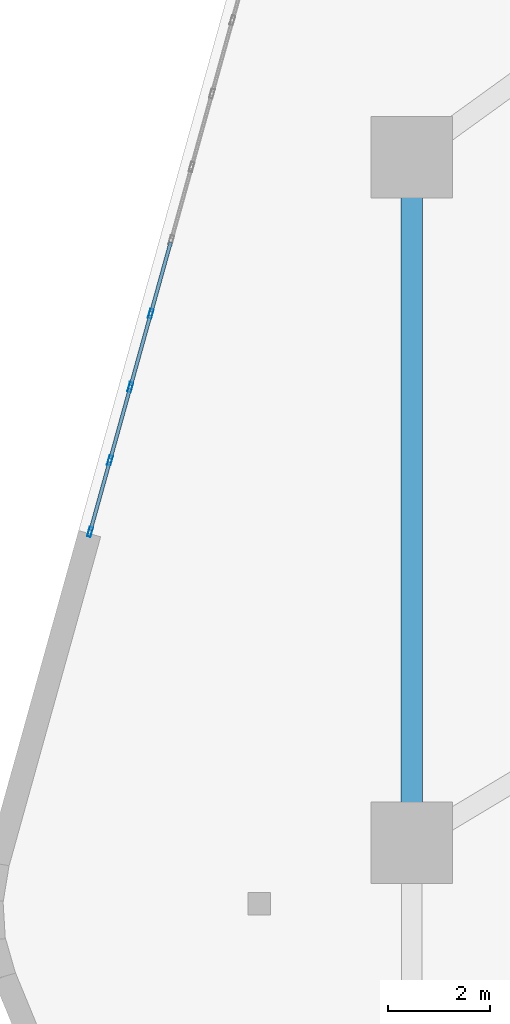
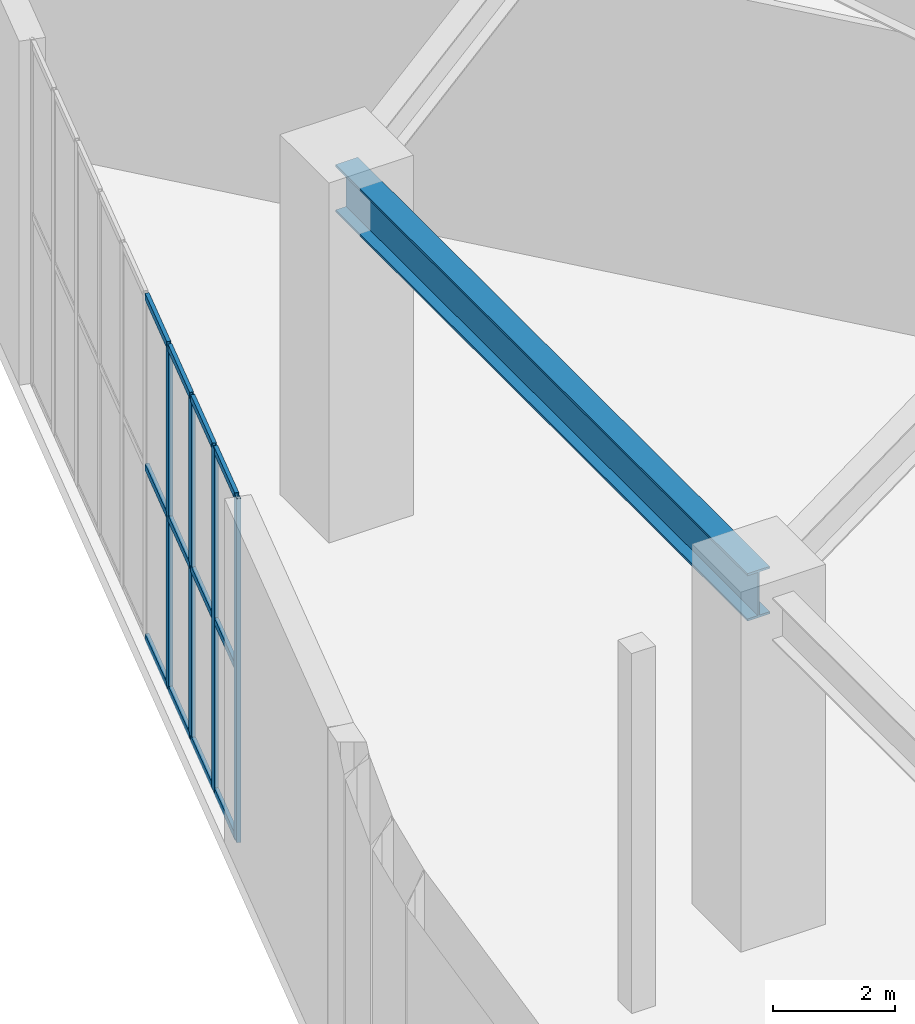
# One storey, part 6 of 17: 16 members, 1 beam, 1 element without a shape of its own.
"""IFC4 building model written with IfcOpenShell, lengths in metres."""

from ifc_helpers import new_model, si_unit, direction, frame, origin, origin_2d, place, context, subcontext, project, spatial, hollow_rectangle, i_section, extrude, material, layer, layer_set, material_profile, profile_set, type_object, element, aggregate, save


model = new_model("IFC4")

# Units and contexts
model_context = context("Model", 3, precision=1e-05, world=origin(), true_north=direction((0.0, 1.0)))
body_context = subcontext(model_context, "Body", "Model", "MODEL_VIEW")
ifc_project = project(units=[si_unit("LENGTHUNIT", "METRE"), si_unit("AREAUNIT", "SQUARE_METRE"), si_unit("VOLUMEUNIT", "CUBIC_METRE"), si_unit("PLANEANGLEUNIT", "RADIAN"), si_unit("MASSUNIT", "GRAM", prefix="KILO")], contexts=[model_context])

# Site, building, storey
site_placement = place(None, origin())
site = spatial("IfcSite", under=ifc_project, at=site_placement, CompositionType="ELEMENT")
building_placement = place(site_placement, origin())
building = spatial("IfcBuilding", under=site, at=building_placement, Name="Kilnhurst Terrace Hotel", CompositionType="ELEMENT")
storey_placement = place(building_placement, frame((0.0, 0.0, 11.39990234375)))
storey = spatial("IfcBuildingStorey", under=building, at=storey_placement, Name="L02", CompositionType="ELEMENT", Elevation=11.39990234375)

# Beam
ifc_material_1 = material(Name="Steel ASTM A992 Grade 50", Category="steel")
ifc_material_profile_1 = material_profile(ifc_material_1, i_section(OverallWidth=0.423095703125, OverallDepth=0.9482421875, WebThickness=0.02392578125, FlangeThickness=0.042724609375, at=origin_2d()), Name="W36X302")
ifc_profile_set_1 = profile_set([ifc_material_profile_1], Name="Steel ASTM A992 Grade 50")
beam_type = type_object("IfcBeamType", Name="BM-STL-W36X302", PredefinedType="BEAM", material=ifc_profile_set_1)
beam_placement = place(storey_placement, frame((-21.5, 0.0, 6.406005859375), z_axis=(0.0, 1.0, 0.0), x_axis=(-1.0, 0.0, 0.0)))
element("IfcBeam", 1, at=beam_placement, inside=storey, type_object=beam_type, Name="L02 Podium Frame Beam 2", PredefinedType="BEAM", context=body_context, shape_type="SweptSolid", body=[
    extrude(i_section(OverallWidth=0.423095703125, OverallDepth=0.9482421875, WebThickness=0.02392578125, FlangeThickness=0.042724609375, at=origin_2d()), origin(), (0.0, 0.0, 1.0), 13.5),
])

# Curtain wall, members
ifc_material_2 = material(Name="Anodized Aluminium Alloy 6063-T6 and Low-E Glass", Category="aluminium")
ifc_layer = layer(ifc_material_2, 0.219970703125, Name="Anodized Aluminium Alloy 6063-T6 and Low-E Glass")
ifc_layer_set = layer_set([ifc_layer], Name="Anodized Aluminium Alloy 6063-T6 and Low-E Glass")
curtain_wall_type = type_object("IfcCurtainWallType", Name="CW-POD-TERR", PredefinedType="NOTDEFINED", material=ifc_layer_set)
curtain_wall_placement = place(storey_placement, origin())
curtain_wall = element("IfcCurtainWall", 2, at=curtain_wall_placement, inside=storey, type_object=curtain_wall_type, Name="L02 Curtain Wall CW-L02-F5-1", PredefinedType="NOTDEFINED")
ifc_material_3 = material(Name="Extruded Aluminium Alloy 6063-T6", Category="aluminium")
ifc_material_profile_2 = material_profile(ifc_material_3, hollow_rectangle(XDim=0.070068359375, YDim=0.18994140625, WallThickness=0.00390625, at=origin_2d()), Name="CWM70X190")
ifc_profile_set_2 = profile_set([ifc_material_profile_2], Name="Extruded Aluminium Alloy 6063-T6")
member_type_1 = type_object("IfcMemberType", Name="MEM-CWM70X190", PredefinedType="MULLION", material=ifc_profile_set_2)
member_1_placement = place(storey_placement, frame((-26.635498046875, 10.418212890625, 0.0), z_axis=(0.0, 0.0, 1.0), x_axis=(0.963421096295, -0.267992147673, 0.0)))
member_1 = element("IfcMember", 3, at=member_1_placement, type_object=member_type_1, Name="CWT-2 mullion 7", PredefinedType="MULLION", context=body_context, shape_type="SweptSolid", body=[
    extrude(hollow_rectangle(XDim=0.070068359375, YDim=0.18994140625, WallThickness=0.00390625, at=origin_2d()), origin(), (0.0, 0.0, 1.0), 6.880126953125),
])
member_2_placement = place(storey_placement, frame((-27.037109375, 8.97412109375, 0.0), z_axis=(0.0, 0.0, 1.0), x_axis=(0.963421096295, -0.267992147673, 0.0)))
member_2 = element("IfcMember", 4, at=member_2_placement, type_object=member_type_1, Name="CWT-2 mullion 8", PredefinedType="MULLION", context=body_context, shape_type="SweptSolid", body=[
    extrude(hollow_rectangle(XDim=0.070068359375, YDim=0.18994140625, WallThickness=0.00390625, at=origin_2d()), origin(), (0.0, 0.0, 1.0), 6.880126953125),
])
member_3_placement = place(storey_placement, frame((-27.43896484375, 7.5302734375, 0.0), z_axis=(0.0, 0.0, 1.0), x_axis=(0.963421096295, -0.267992147673, 0.0)))
member_3 = element("IfcMember", 5, at=member_3_placement, type_object=member_type_1, Name="CWT-2 mullion 9", PredefinedType="MULLION", context=body_context, shape_type="SweptSolid", body=[
    extrude(hollow_rectangle(XDim=0.070068359375, YDim=0.18994140625, WallThickness=0.00390625, at=origin_2d()), origin(), (0.0, 0.0, 1.0), 6.880126953125),
])
member_4_placement = place(storey_placement, frame((-27.831298828125, 6.119873046875, 0.0), z_axis=(0.0, 0.0, 1.0), x_axis=(0.963421096295, -0.267992147673, 0.0)))
member_4 = element("IfcMember", 6, at=member_4_placement, type_object=member_type_1, Name="CWT-2 mullion 10", PredefinedType="MULLION", context=body_context, shape_type="SweptSolid", body=[
    extrude(hollow_rectangle(XDim=0.070068359375, YDim=0.18994140625, WallThickness=0.00390625, at=origin_2d()), origin(), (0.0, 0.0, 1.0), 6.880126953125),
])
ifc_material_profile_3 = material_profile(ifc_material_3, hollow_rectangle(XDim=0.070068359375, YDim=0.135009765625, WallThickness=0.00390625, at=origin_2d()), Name="CWT70X135")
ifc_profile_set_3 = profile_set([ifc_material_profile_3], Name="Extruded Aluminium Alloy 6063-T6")
member_type_2 = type_object("IfcMemberType", Name="MEM-CWT70X135", PredefinedType="USERDEFINED", material=ifc_profile_set_3)
member_5_placement = place(storey_placement, frame((-26.2431640625, 11.82861328125, 0.03515625), z_axis=(-0.268057982455, -0.963402780794, 0.0), x_axis=(0.963402780794, -0.268057982455, 0.0)))
member_5 = element("IfcMember", 7, at=member_5_placement, type_object=member_type_2, Name="CWT-2 transom 6.1", ObjectType="TRANSOM", PredefinedType="USERDEFINED", context=body_context, shape_type="SweptSolid", body=[
    extrude(hollow_rectangle(XDim=0.070068359375, YDim=0.135009765625, WallThickness=0.00390625, at=origin_2d()), origin(), (0.0, 0.0, 1.0), 1.428955078125),
])
member_6_placement = place(storey_placement, frame((-26.2431640625, 11.82861328125, 3.440185546875), z_axis=(-0.268057982455, -0.963402780794, 0.0), x_axis=(0.963402780794, -0.268057982455, 0.0)))
member_6 = element("IfcMember", 8, at=member_6_placement, type_object=member_type_2, Name="CWT-2 transom 6.2", ObjectType="TRANSOM", PredefinedType="USERDEFINED", context=body_context, shape_type="SweptSolid", body=[
    extrude(hollow_rectangle(XDim=0.070068359375, YDim=0.135009765625, WallThickness=0.00390625, at=origin_2d()), origin(), (0.0, 0.0, 1.0), 1.428955078125),
])
member_7_placement = place(storey_placement, frame((-26.2431640625, 11.82861328125, 6.84521484375), z_axis=(-0.268057982455, -0.963402780794, 0.0), x_axis=(0.963402780794, -0.268057982455, 0.0)))
member_7 = element("IfcMember", 9, at=member_7_placement, type_object=member_type_2, Name="CWT-2 transom 6.3", ObjectType="TRANSOM", PredefinedType="USERDEFINED", context=body_context, shape_type="SweptSolid", body=[
    extrude(hollow_rectangle(XDim=0.070068359375, YDim=0.135009765625, WallThickness=0.00390625, at=origin_2d()), origin(), (0.0, 0.0, 1.0), 1.428955078125),
])
member_8_placement = place(storey_placement, frame((-26.64501953125, 10.384521484375, 0.03515625), z_axis=(-0.267899401357, -0.963446890468, 0.0), x_axis=(0.963446890468, -0.267899401357, 0.0)))
member_8 = element("IfcMember", 10, at=member_8_placement, type_object=member_type_2, Name="CWT-2 transom 7.1", ObjectType="TRANSOM", PredefinedType="USERDEFINED", context=body_context, shape_type="SweptSolid", body=[
    extrude(hollow_rectangle(XDim=0.070068359375, YDim=0.135009765625, WallThickness=0.00390625, at=origin_2d()), origin(), (0.0, 0.0, 1.0), 1.428955078125),
])
member_9_placement = place(storey_placement, frame((-26.64501953125, 10.384521484375, 3.440185546875), z_axis=(-0.267899401357, -0.963446890468, 0.0), x_axis=(0.963446890468, -0.267899401357, 0.0)))
member_9 = element("IfcMember", 11, at=member_9_placement, type_object=member_type_2, Name="CWT-2 transom 7.2", ObjectType="TRANSOM", PredefinedType="USERDEFINED", context=body_context, shape_type="SweptSolid", body=[
    extrude(hollow_rectangle(XDim=0.070068359375, YDim=0.135009765625, WallThickness=0.00390625, at=origin_2d()), origin(), (0.0, 0.0, 1.0), 1.428955078125),
])
member_10_placement = place(storey_placement, frame((-26.64501953125, 10.384521484375, 6.84521484375), z_axis=(-0.267899401357, -0.963446890468, 0.0), x_axis=(0.963446890468, -0.267899401357, 0.0)))
member_10 = element("IfcMember", 12, at=member_10_placement, type_object=member_type_2, Name="CWT-2 transom 7.3", ObjectType="TRANSOM", PredefinedType="USERDEFINED", context=body_context, shape_type="SweptSolid", body=[
    extrude(hollow_rectangle(XDim=0.070068359375, YDim=0.135009765625, WallThickness=0.00390625, at=origin_2d()), origin(), (0.0, 0.0, 1.0), 1.428955078125),
])
member_11_placement = place(storey_placement, frame((-27.046630859375, 8.9404296875, 0.03515625), z_axis=(-0.267943506978, -0.963434625218, 0.0), x_axis=(0.963434625218, -0.267943506978, 0.0)))
member_11 = element("IfcMember", 13, at=member_11_placement, type_object=member_type_2, Name="CWT-2 transom 8.1", ObjectType="TRANSOM", PredefinedType="USERDEFINED", context=body_context, shape_type="SweptSolid", body=[
    extrude(hollow_rectangle(XDim=0.070068359375, YDim=0.135009765625, WallThickness=0.00390625, at=origin_2d()), origin(), (0.0, 0.0, 1.0), 1.4287109375),
])
member_12_placement = place(storey_placement, frame((-27.046630859375, 8.9404296875, 3.440185546875), z_axis=(-0.267943506978, -0.963434625218, 0.0), x_axis=(0.963434625218, -0.267943506978, 0.0)))
member_12 = element("IfcMember", 14, at=member_12_placement, type_object=member_type_2, Name="CWT-2 transom 8.2", ObjectType="TRANSOM", PredefinedType="USERDEFINED", context=body_context, shape_type="SweptSolid", body=[
    extrude(hollow_rectangle(XDim=0.070068359375, YDim=0.135009765625, WallThickness=0.00390625, at=origin_2d()), origin(), (0.0, 0.0, 1.0), 1.4287109375),
])
member_13_placement = place(storey_placement, frame((-27.046630859375, 8.9404296875, 6.84521484375), z_axis=(-0.267943506978, -0.963434625218, 0.0), x_axis=(0.963434625218, -0.267943506978, 0.0)))
member_13 = element("IfcMember", 15, at=member_13_placement, type_object=member_type_2, Name="CWT-2 transom 8.3", ObjectType="TRANSOM", PredefinedType="USERDEFINED", context=body_context, shape_type="SweptSolid", body=[
    extrude(hollow_rectangle(XDim=0.070068359375, YDim=0.135009765625, WallThickness=0.00390625, at=origin_2d()), origin(), (0.0, 0.0, 1.0), 1.4287109375),
])
member_14_placement = place(storey_placement, frame((-27.4482421875, 7.496337890625, 0.03515625), z_axis=(-0.268005220617, -0.963417459735, 0.0), x_axis=(0.963417459735, -0.268005220617, 0.0)))
member_14 = element("IfcMember", 16, at=member_14_placement, type_object=member_type_2, Name="CWT-2 transom 9.1", ObjectType="TRANSOM", PredefinedType="USERDEFINED", context=body_context, shape_type="SweptSolid", body=[
    extrude(hollow_rectangle(XDim=0.070068359375, YDim=0.135009765625, WallThickness=0.00390625, at=origin_2d()), origin(), (0.0, 0.0, 1.0), 1.393798828125),
])
member_15_placement = place(storey_placement, frame((-27.4482421875, 7.496337890625, 3.440185546875), z_axis=(-0.268005220617, -0.963417459735, 0.0), x_axis=(0.963417459735, -0.268005220617, 0.0)))
member_15 = element("IfcMember", 17, at=member_15_placement, type_object=member_type_2, Name="CWT-2 transom 9.2", ObjectType="TRANSOM", PredefinedType="USERDEFINED", context=body_context, shape_type="SweptSolid", body=[
    extrude(hollow_rectangle(XDim=0.070068359375, YDim=0.135009765625, WallThickness=0.00390625, at=origin_2d()), origin(), (0.0, 0.0, 1.0), 1.393798828125),
])
member_16_placement = place(storey_placement, frame((-27.4482421875, 7.496337890625, 6.84521484375), z_axis=(-0.268005220617, -0.963417459735, 0.0), x_axis=(0.963417459735, -0.268005220617, 0.0)))
member_16 = element("IfcMember", 18, at=member_16_placement, type_object=member_type_2, Name="CWT-2 transom 9.3", ObjectType="TRANSOM", PredefinedType="USERDEFINED", context=body_context, shape_type="SweptSolid", body=[
    extrude(hollow_rectangle(XDim=0.070068359375, YDim=0.135009765625, WallThickness=0.00390625, at=origin_2d()), origin(), (0.0, 0.0, 1.0), 1.393798828125),
])
aggregate(curtain_wall, [member_1, member_2, member_3, member_4, member_5, member_6, member_7, member_8, member_9, member_10, member_11, member_12, member_13, member_14, member_15, member_16])

save(model, "model.ifc")
